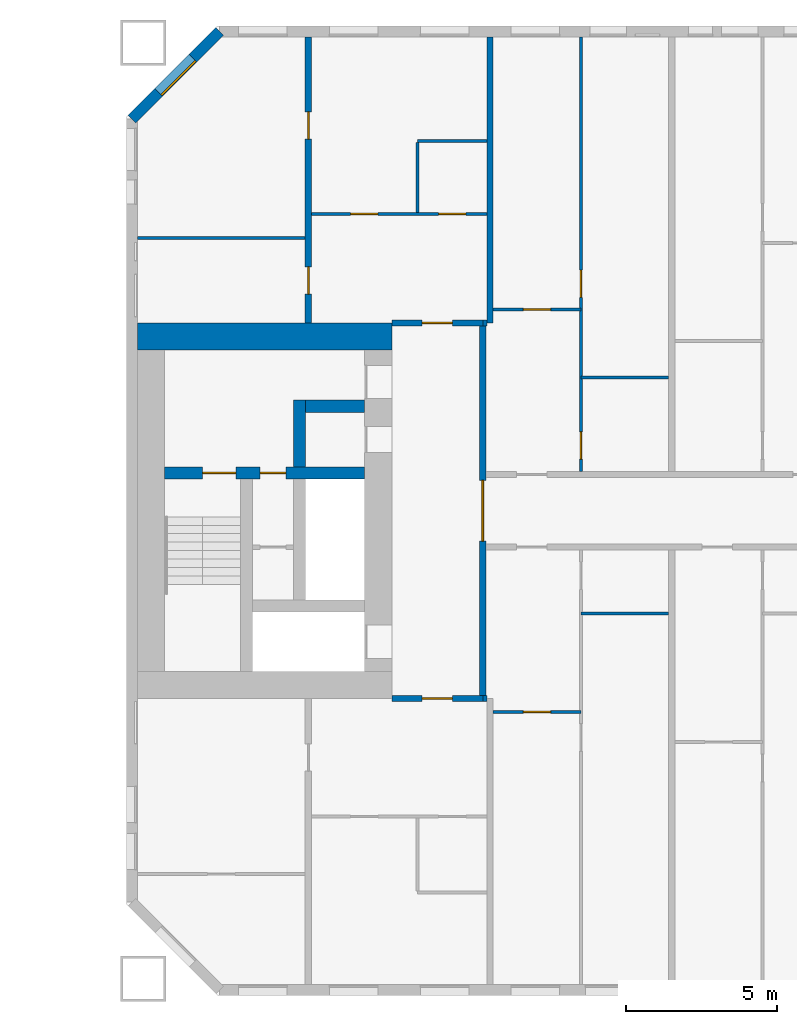
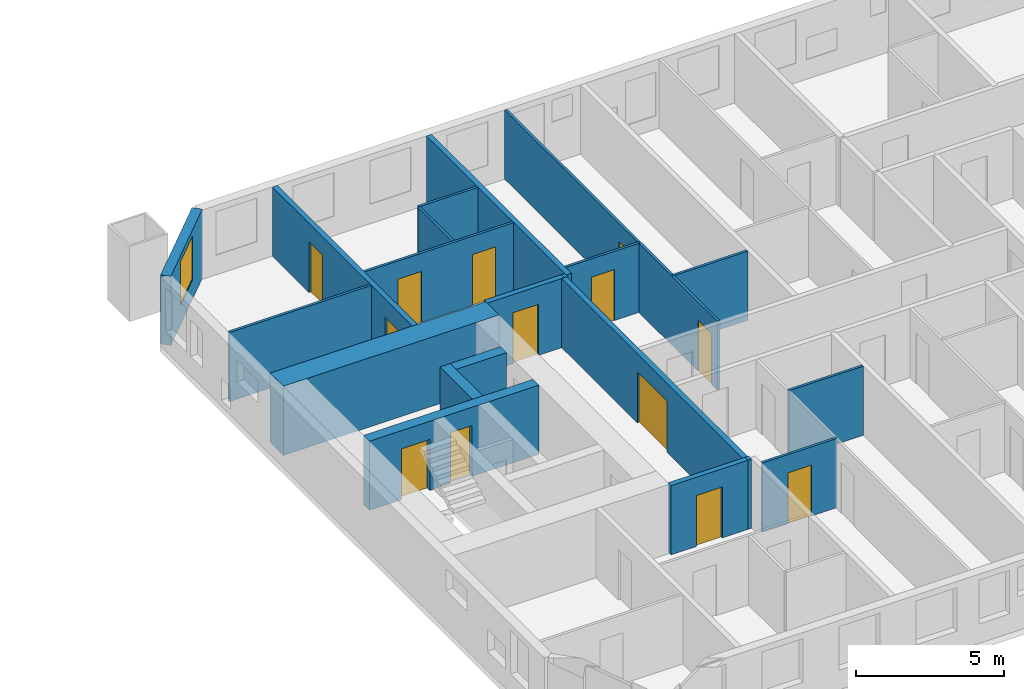
# One storey, part 11 of 18: 21 walls, 13 doors, 1 window, 14 openings.
"""IFC4 building model written with IfcOpenShell, lengths in metres."""

from ifc_helpers import new_model, si_unit, direction, frame, frame_2d, origin, place, context, subcontext, project, spatial, rectangle, extrude, material, layer, layer_set, type_object, element, fill, save


model = new_model("IFC4")

# Units and contexts
model_context = context("Model", 3, precision=1e-05, world=origin(), true_north=direction((0.0, 1.0)))
body_context = subcontext(model_context, "Body", "Model", "MODEL_VIEW")
ifc_project = project(units=[si_unit("LENGTHUNIT", "METRE"), si_unit("AREAUNIT", "SQUARE_METRE"), si_unit("VOLUMEUNIT", "CUBIC_METRE"), si_unit("PLANEANGLEUNIT", "RADIAN"), si_unit("MASSUNIT", "GRAM", prefix="KILO")], contexts=[model_context])

# Site, building, storey
site_placement = place(None, origin())
site = spatial("IfcSite", under=ifc_project, at=site_placement, CompositionType="ELEMENT")
building_placement = place(site_placement, origin())
building = spatial("IfcBuilding", under=site, at=building_placement, Name="Tuart Gate Housing", CompositionType="ELEMENT")
storey_placement = place(building_placement, frame((0.0, 0.0, 31.89990234375)))
storey = spatial("IfcBuildingStorey", under=building, at=storey_placement, Name="L08", CompositionType="ELEMENT", Elevation=31.89990234375)

# Wall, opening, window
ifc_material_1 = material(Name="Brick", Category="masonry")
ifc_layer_1 = layer(ifc_material_1, 0.360107421875)
ifc_layer_set_1 = layer_set([ifc_layer_1], Name="Brick pier and spandrel wall 360")
wall_type_1 = type_object("IfcWallType", Name="Brick pier and spandrel wall 360", PredefinedType="STANDARD", material=ifc_layer_set_1)
wall_1_placement = place(storey_placement, frame((134.07470703125, 85.820068359375, 0.0), z_axis=(0.0, 0.0, 1.0), x_axis=(-0.707106781187, -0.707106781187, 0.0)))
wall_1 = element("IfcWall", 1, at=wall_1_placement, inside=storey, type_object=wall_type_1, Name="External wall B-NW L08", PredefinedType="STANDARD", context=body_context, shape_type="SweptSolid", body=[
    extrude(rectangle(XDim=4.09375, YDim=0.360107421875, at=frame_2d((2.046875, 0.0))), origin(), (0.0, 0.0, 1.0), 2.85009765625),
])
opening_1_placement = place(wall_1_placement, frame((1.2470703125, 0.0, 0.800048828125)))
opening_1 = element("IfcOpeningElement", 2, at=opening_1_placement, cuts=wall_1, Name="Opening W1", PredefinedType="OPENING", context=body_context, shape_type="SweptSolid", body=[
    extrude(rectangle(XDim=1.60009765625, YDim=1.800048828125, at=frame_2d((0.800048828125, 0.89990234375))), frame((0.0, 0.18994140625, 0.0), z_axis=(0.0, -1.0, 0.0), x_axis=(1.0, 0.0, 0.0)), (0.0, 0.0, 1.0), 0.380126953125),
])
ifc_material_2 = material(Name="Aluminium frame with clear glass", Category="aluminium")
window_type = type_object("IfcWindowType", Name="Punched window 1600 x 1800", PartitioningType="SINGLE_PANEL", PredefinedType="WINDOW", material=ifc_material_2)
window_placement = place(opening_1_placement, origin())
window = element("IfcWindow", 3, at=window_placement, inside=storey, type_object=window_type, Name="Window W1", OverallHeight=1.800048828125, OverallWidth=1.60009765625, PartitioningType="SINGLE_PANEL", PredefinedType="WINDOW", context=body_context, shape_type="SweptSolid", body=[
    extrude(rectangle(XDim=1.60009765625, YDim=1.800048828125, at=frame_2d((0.800048828125, 0.89990234375))), frame((0.0, 0.150146484375, 0.0), z_axis=(0.0, -1.0, 0.0), x_axis=(1.0, 0.0, 0.0)), (0.0, 0.0, 1.0), 0.06005859375),
])
fill(opening_1, window)

# Wall, openings, doors
ifc_material_3 = material(Name="Concrete C60", Category="concrete")
ifc_layer_2 = layer(ifc_material_3, 0.39990234375)
ifc_layer_set_2 = layer_set([ifc_layer_2], Name="Core wall 400 C60")
wall_type_2 = type_object("IfcWallType", Name="Core wall 400 C60", PredefinedType="SHEAR", material=ifc_layer_set_2)
wall_2_placement = place(storey_placement, frame((138.860107421875, 71.25, 0.0), z_axis=(0.0, 0.0, 1.0), x_axis=(-1.0, 0.0, 0.0)))
wall_2 = element("IfcWall", 4, at=wall_2_placement, inside=storey, type_object=wall_type_2, Name="Core wall BG.3", PredefinedType="SHEAR", context=body_context, shape_type="SweptSolid", body=[
    extrude(rectangle(XDim=6.60009765625, YDim=0.39990234375, at=frame_2d((3.300048828125, 0.0))), origin(), (0.0, 0.0, 1.0), 2.85009765625),
])
opening_2_placement = place(wall_2_placement, frame((4.25, 0.0, 0.0)))
opening_2 = element("IfcOpeningElement", 5, at=opening_2_placement, cuts=wall_2, Name="Opening D553", PredefinedType="OPENING", context=body_context, shape_type="SweptSolid", body=[
    extrude(rectangle(XDim=1.10009765625, YDim=2.10009765625, at=frame_2d((0.550048828125, 1.050048828125))), frame((0.0, 0.2099609375, 0.0), z_axis=(0.0, -1.0, 0.0), x_axis=(1.0, 0.0, 0.0)), (0.0, 0.0, 1.0), 0.419921875),
])
opening_3_placement = place(wall_2_placement, frame((2.60009765625, 0.0, 0.0)))
opening_3 = element("IfcOpeningElement", 6, at=opening_3_placement, cuts=wall_2, Name="Opening D552", PredefinedType="OPENING", context=body_context, shape_type="SweptSolid", body=[
    extrude(rectangle(XDim=0.85009765625, YDim=2.10009765625, at=frame_2d((0.425048828125, 1.050048828125))), frame((0.0, 0.2099609375, 0.0), z_axis=(0.0, -1.0, 0.0), x_axis=(1.0, 0.0, 0.0)), (0.0, 0.0, 1.0), 0.419921875),
])
ifc_material_4 = material(Name="Steel fire door", Category="steel")
door_type_1 = type_object("IfcDoorType", Name="Riser door 850 x 2100", OperationType="SINGLE_SWING_LEFT", PredefinedType="DOOR", material=ifc_material_4)
door_1_placement = place(opening_3_placement, origin())
door_1 = element("IfcDoor", 7, at=door_1_placement, inside=storey, type_object=door_type_1, Name="Service room door BG.W1", OperationType="SINGLE_SWING_LEFT", OverallHeight=2.10009765625, OverallWidth=0.85009765625, PredefinedType="DOOR", context=body_context, shape_type="SweptSolid", body=[
    extrude(rectangle(XDim=0.85009765625, YDim=2.10009765625, at=frame_2d((0.425048828125, 1.050048828125))), frame((0.0, 0.02490234375, 0.0), z_axis=(0.0, -1.0, 0.0), x_axis=(1.0, 0.0, 0.0)), (0.0, 0.0, 1.0), 0.050048828125),
])
fill(opening_3, door_1)
ifc_material_5 = material(Name="Steel fire door", Category="steel")
door_type_2 = type_object("IfcDoorType", Name="Stair door 1100 x 2100", OperationType="SINGLE_SWING_LEFT", PredefinedType="DOOR", material=ifc_material_5)
door_2_placement = place(opening_2_placement, origin())
door_2 = element("IfcDoor", 8, at=door_2_placement, inside=storey, type_object=door_type_2, Name="Stair door BG.SD", OperationType="SINGLE_SWING_LEFT", OverallHeight=2.10009765625, OverallWidth=1.10009765625, PredefinedType="DOOR", context=body_context, shape_type="SweptSolid", body=[
    extrude(rectangle(XDim=1.10009765625, YDim=2.10009765625, at=frame_2d((0.550048828125, 1.050048828125))), frame((0.0, 0.02490234375, 0.0), z_axis=(0.0, -1.0, 0.0), x_axis=(1.0, 0.0, 0.0)), (0.0, 0.0, 1.0), 0.050048828125),
])
fill(opening_2, door_2)

# Walls
wall_3_placement = place(storey_placement, frame((138.860107421875, 73.449951171875, 0.0), z_axis=(0.0, 0.0, 1.0), x_axis=(-1.0, 0.0, 0.0)))
element("IfcWall", 9, at=wall_3_placement, inside=storey, type_object=wall_type_2, Name="Core wall BG.4", PredefinedType="SHEAR", context=body_context, shape_type="SweptSolid", body=[
    extrude(rectangle(XDim=1.9501953125, YDim=0.39990234375, at=frame_2d((0.97509765625, 0.0))), origin(), (0.0, 0.0, 1.0), 2.85009765625),
])
wall_4_placement = place(storey_placement, frame((136.7099609375, 71.449951171875, 0.0), z_axis=(0.0, 0.0, 1.0), x_axis=(0.0, 1.0, 0.0)))
element("IfcWall", 10, at=wall_4_placement, inside=storey, type_object=wall_type_2, Name="Core wall BG.6", PredefinedType="SHEAR", context=body_context, shape_type="SweptSolid", body=[
    extrude(rectangle(XDim=2.199951171875, YDim=0.39990234375, at=frame_2d((1.10009765625, 0.0))), origin(), (0.0, 0.0, 1.0), 2.85009765625),
])
ifc_material_6 = material(Name="Concrete C60", Category="concrete")
ifc_layer_3 = layer(ifc_material_6, 0.89990234375)
ifc_layer_set_3 = layer_set([ifc_layer_3], Name="Core wall 900 C60")
wall_type_3 = type_object("IfcWallType", Name="Core wall 900 C60", PredefinedType="SHEAR", material=ifc_layer_set_3)
wall_5_placement = place(storey_placement, frame((139.760009765625, 75.75, 0.0), z_axis=(0.0, 0.0, 1.0), x_axis=(-1.0, 0.0, 0.0)))
element("IfcWall", 11, at=wall_5_placement, inside=storey, type_object=wall_type_3, Name="Core wall BG north", PredefinedType="SHEAR", context=body_context, shape_type="SweptSolid", body=[
    extrude(rectangle(XDim=8.39990234375, YDim=0.89990234375, at=frame_2d((4.199951171875, 0.0))), origin(), (0.0, 0.0, 1.0), 2.85009765625),
])

# Wall, opening, door
ifc_material_7 = material(Name="Concrete masonry 15 MPa", Category="masonry")
ifc_layer_4 = layer(ifc_material_7, 0.199951171875)
ifc_layer_set_4 = layer_set([ifc_layer_4], Name="Enclosure wall masonry 200")
wall_type_4 = type_object("IfcWallType", Name="Enclosure wall masonry 200", PredefinedType="PARTITIONING", material=ifc_layer_set_4)
wall_6_placement = place(storey_placement, frame((139.760009765625, 63.800048828125, 0.0), z_axis=(0.0, 0.0, 1.0), x_axis=(1.0, 0.0, 0.0)))
wall_6 = element("IfcWall", 12, at=wall_6_placement, inside=storey, type_object=wall_type_4, Name="Enclosure wall masonry 200", PredefinedType="PARTITIONING", context=body_context, shape_type="SweptSolid", body=[
    extrude(rectangle(XDim=3.0, YDim=0.199951171875, at=frame_2d((1.5, 0.0))), origin(), (0.0, 0.0, 1.0), 2.85009765625),
])
opening_4_placement = place(wall_6_placement, frame((1.0, 0.0, 0.0)))
opening_4 = element("IfcOpeningElement", 13, at=opening_4_placement, cuts=wall_6, Name="Opening D569", PredefinedType="OPENING", context=body_context, shape_type="SweptSolid", body=[
    extrude(rectangle(XDim=1.0, YDim=2.10009765625, at=frame_2d((0.5, 1.050048828125))), frame((0.0, 0.10986328125, 0.0), z_axis=(0.0, -1.0, 0.0), x_axis=(1.0, 0.0, 0.0)), (0.0, 0.0, 1.0), 0.219970703125),
])
ifc_material_8 = material(Name="Timber door leaf in steel frame", Category="steel")
door_type_3 = type_object("IfcDoorType", Name="Flat entrance door 1000", OperationType="SINGLE_SWING_LEFT", PredefinedType="DOOR", material=ifc_material_8)
door_3_placement = place(opening_4_placement, frame((1.0, 0.0, 0.0), z_axis=(0.0, 0.0, 1.0), x_axis=(-1.0, 0.0, 0.0)))
door_3 = element("IfcDoor", 14, at=door_3_placement, inside=storey, type_object=door_type_3, Name="Flat entrance door", OperationType="SINGLE_SWING_LEFT", OverallHeight=2.10009765625, OverallWidth=1.0, PredefinedType="DOOR", context=body_context, shape_type="SweptSolid", body=[
    extrude(rectangle(XDim=1.0, YDim=2.10009765625, at=frame_2d((0.5, 1.050048828125))), frame((0.0, 0.025146484375, 0.0), z_axis=(0.0, -1.0, 0.0), x_axis=(1.0, 0.0, 0.0)), (0.0, 0.0, 1.0), 0.050048828125),
])
fill(opening_4, door_3)

wall_7_placement = place(storey_placement, frame((139.760009765625, 76.199951171875, 0.0), z_axis=(0.0, 0.0, 1.0), x_axis=(1.0, 0.0, 0.0)))
wall_7 = element("IfcWall", 15, at=wall_7_placement, inside=storey, type_object=wall_type_4, Name="Enclosure wall masonry 200", PredefinedType="PARTITIONING", context=body_context, shape_type="SweptSolid", body=[
    extrude(rectangle(XDim=3.0, YDim=0.199951171875, at=frame_2d((1.5, 0.0))), origin(), (0.0, 0.0, 1.0), 2.85009765625),
])
opening_5_placement = place(wall_7_placement, frame((1.0, 0.0, 0.0)))
opening_5 = element("IfcOpeningElement", 16, at=opening_5_placement, cuts=wall_7, Name="Opening D549", PredefinedType="OPENING", context=body_context, shape_type="SweptSolid", body=[
    extrude(rectangle(XDim=1.0, YDim=2.10009765625, at=frame_2d((0.5, 1.050048828125))), frame((0.0, 0.10986328125, 0.0), z_axis=(0.0, -1.0, 0.0), x_axis=(1.0, 0.0, 0.0)), (0.0, 0.0, 1.0), 0.219970703125),
])
ifc_material_9 = material(Name="Timber door leaf in steel frame", Category="steel")
door_type_4 = type_object("IfcDoorType", Name="Flat entrance door 1000 RH", OperationType="SINGLE_SWING_RIGHT", PredefinedType="DOOR", material=ifc_material_9)
door_4_placement = place(opening_5_placement, origin())
door_4 = element("IfcDoor", 17, at=door_4_placement, inside=storey, type_object=door_type_4, Name="Flat entrance door", OperationType="SINGLE_SWING_RIGHT", OverallHeight=2.10009765625, OverallWidth=1.0, PredefinedType="DOOR", context=body_context, shape_type="SweptSolid", body=[
    extrude(rectangle(XDim=1.0, YDim=2.10009765625, at=frame_2d((0.5, 1.050048828125))), frame((0.0, 0.02490234375, 0.0), z_axis=(0.0, -1.0, 0.0), x_axis=(1.0, 0.0, 0.0)), (0.0, 0.0, 1.0), 0.050048828125),
])
fill(opening_5, door_4)

ifc_material_10 = material(Name="Plasterboard partition")
ifc_layer_5 = layer(ifc_material_10, 0.199951171875)
ifc_layer_set_5 = layer_set([ifc_layer_5], Name="Lobby wall 200")
wall_type_5 = type_object("IfcWallType", Name="Lobby wall 200", PredefinedType="PARTITIONING", material=ifc_layer_set_5)
wall_8_placement = place(storey_placement, frame((142.760009765625, 63.89990234375, 0.0), z_axis=(0.0, 0.0, 1.0), x_axis=(0.0, 1.0, 0.0)))
wall_8 = element("IfcWall", 18, at=wall_8_placement, inside=storey, type_object=wall_type_5, Name="Lift lobby wall BG", PredefinedType="PARTITIONING", context=body_context, shape_type="SweptSolid", body=[
    extrude(rectangle(XDim=12.2001953125, YDim=0.199951171875, at=frame_2d((6.10009765625, 0.0))), origin(), (0.0, 0.0, 1.0), 2.85009765625),
])
opening_6_placement = place(wall_8_placement, frame((5.10009765625, 0.0, 0.0)))
opening_6 = element("IfcOpeningElement", 19, at=opening_6_placement, cuts=wall_8, Name="Opening D558", PredefinedType="OPENING", context=body_context, shape_type="SweptSolid", body=[
    extrude(rectangle(XDim=2.0, YDim=2.10009765625, at=frame_2d((1.0, 1.050048828125))), frame((0.0, 0.10986328125, 0.0), z_axis=(0.0, -1.0, 0.0), x_axis=(1.0, 0.0, 0.0)), (0.0, 0.0, 1.0), 0.219970703125),
])
ifc_material_11 = material(Name="Steel fire door", Category="steel")
door_type_5 = type_object("IfcDoorType", Name="Smoke door 2000 x 2100", OperationType="DOUBLE_DOOR_SINGLE_SWING", PredefinedType="DOOR", material=ifc_material_11)
door_5_placement = place(opening_6_placement, origin())
door_5 = element("IfcDoor", 20, at=door_5_placement, inside=storey, type_object=door_type_5, Name="Lift lobby smoke door BG", OperationType="DOUBLE_DOOR_SINGLE_SWING", OverallHeight=2.10009765625, OverallWidth=2.0, PredefinedType="DOOR", context=body_context, shape_type="SweptSolid", body=[
    extrude(rectangle(XDim=2.0, YDim=2.10009765625, at=frame_2d((1.0, 1.050048828125))), frame((0.0, 0.02490234375, 0.0), z_axis=(0.0, -1.0, 0.0), x_axis=(1.0, 0.0, 0.0)), (0.0, 0.0, 1.0), 0.050048828125),
])
fill(opening_6, door_5)

ifc_material_12 = material(Name="Gypsum board on steel studs", Category="steel")
ifc_layer_6 = layer(ifc_material_12, 0.10009765625)
ifc_layer_set_6 = layer_set([ifc_layer_6], Name="Partition 100")
wall_type_6 = type_object("IfcWallType", Name="Partition 100", PredefinedType="PARTITIONING", material=ifc_layer_set_6)
wall_9_placement = place(storey_placement, frame((143.10009765625, 63.360107421875, 0.0), z_axis=(0.0, 0.0, 1.0), x_axis=(1.0, 0.0, 0.0)))
wall_9 = element("IfcWall", 21, at=wall_9_placement, inside=storey, type_object=wall_type_6, Name="Partition 100", PredefinedType="PARTITIONING", context=body_context, shape_type="SweptSolid", body=[
    extrude(rectangle(XDim=2.89990234375, YDim=0.10009765625, at=frame_2d((1.449951171875, 0.0))), origin(), (0.0, 0.0, 1.0), 2.85009765625),
])
opening_7_placement = place(wall_9_placement, frame((1.0, 0.0, 0.0)))
opening_7 = element("IfcOpeningElement", 22, at=opening_7_placement, cuts=wall_9, Name="Opening D572", PredefinedType="OPENING", context=body_context, shape_type="SweptSolid", body=[
    extrude(rectangle(XDim=0.89990234375, YDim=2.10009765625, at=frame_2d((0.449951171875, 1.050048828125))), frame((0.0, 0.06005859375, 0.0), z_axis=(0.0, -1.0, 0.0), x_axis=(1.0, 0.0, 0.0)), (0.0, 0.0, 1.0), 0.1201171875),
])
ifc_material_13 = material(Name="Timber door leaf in steel frame", Category="steel")
door_type_6 = type_object("IfcDoorType", Name="Internal door 900 RH", OperationType="SINGLE_SWING_RIGHT", PredefinedType="DOOR", material=ifc_material_13)
door_6_placement = place(opening_7_placement, origin())
door_6 = element("IfcDoor", 23, at=door_6_placement, inside=storey, type_object=door_type_6, Name="Internal door", OperationType="SINGLE_SWING_RIGHT", OverallHeight=2.10009765625, OverallWidth=0.89990234375, PredefinedType="DOOR", context=body_context, shape_type="SweptSolid", body=[
    extrude(rectangle(XDim=0.89990234375, YDim=2.10009765625, at=frame_2d((0.449951171875, 1.050048828125))), frame((0.0, 0.02490234375, 0.0), z_axis=(0.0, -1.0, 0.0), x_axis=(1.0, 0.0, 0.0)), (0.0, 0.0, 1.0), 0.050048828125),
])
fill(opening_7, door_6)

# Walls
for number, where, z_axis, x_axis, name in (
    (24, (146.0, 66.60009765625, 0.0), (0.0, 0.0, 1.0), (1.0, 0.0, 0.0), "Partition 100"),
    (25, (146.0, 74.39990234375, 0.0), (0.0, 0.0, 1.0), (1.0, 0.0, 0.0), "Partition 100"),
):
    element("IfcWall", number, at=place(storey_placement, frame(where, z_axis=z_axis, x_axis=x_axis)), inside=storey, type_object=wall_type_6, Name=name, PredefinedType="PARTITIONING", context=body_context, shape_type="SweptSolid", body=[
        extrude(rectangle(XDim=2.89990234375, YDim=0.10009765625, at=frame_2d((1.449951171875, 0.0))), origin(), (0.0, 0.0, 1.0), 2.85009765625),
    ])

# Wall, opening, door
wall_10_placement = place(storey_placement, frame((143.10009765625, 76.639892578125, 0.0), z_axis=(0.0, 0.0, 1.0), x_axis=(1.0, 0.0, 0.0)))
wall_10 = element("IfcWall", 26, at=wall_10_placement, inside=storey, type_object=wall_type_6, Name="Partition 100", PredefinedType="PARTITIONING", context=body_context, shape_type="SweptSolid", body=[
    extrude(rectangle(XDim=2.89990234375, YDim=0.10009765625, at=frame_2d((1.449951171875, 0.0))), origin(), (0.0, 0.0, 1.0), 2.85009765625),
])
opening_8_placement = place(wall_10_placement, frame((1.0, 0.0, 0.0)))
opening_8 = element("IfcOpeningElement", 27, at=opening_8_placement, cuts=wall_10, Name="Opening D548", PredefinedType="OPENING", context=body_context, shape_type="SweptSolid", body=[
    extrude(rectangle(XDim=0.89990234375, YDim=2.10009765625, at=frame_2d((0.449951171875, 1.050048828125))), frame((0.0, 0.06005859375, 0.0), z_axis=(0.0, -1.0, 0.0), x_axis=(1.0, 0.0, 0.0)), (0.0, 0.0, 1.0), 0.1201171875),
])
ifc_material_14 = material(Name="Timber door leaf in steel frame", Category="steel")
door_type_7 = type_object("IfcDoorType", Name="Internal door 900", OperationType="SINGLE_SWING_LEFT", PredefinedType="DOOR", material=ifc_material_14)
door_7_placement = place(opening_8_placement, frame((0.89990234375, 0.0, 0.0), z_axis=(0.0, 0.0, 1.0), x_axis=(-1.0, 0.0, 0.0)))
door_7 = element("IfcDoor", 28, at=door_7_placement, inside=storey, type_object=door_type_7, Name="Internal door", OperationType="SINGLE_SWING_LEFT", OverallHeight=2.10009765625, OverallWidth=0.89990234375, PredefinedType="DOOR", context=body_context, shape_type="SweptSolid", body=[
    extrude(rectangle(XDim=0.89990234375, YDim=2.10009765625, at=frame_2d((0.449951171875, 1.050048828125))), frame((0.0, 0.025146484375, 0.0), z_axis=(0.0, -1.0, 0.0), x_axis=(1.0, 0.0, 0.0)), (0.0, 0.0, 1.0), 0.050048828125),
])
fill(opening_8, door_7)

# Wall
wall_11_placement = place(storey_placement, frame((131.360107421875, 79.0, 0.0), z_axis=(0.0, 0.0, 1.0), x_axis=(1.0, 0.0, 0.0)))
element("IfcWall", 29, at=wall_11_placement, inside=storey, type_object=wall_type_6, Name="Partition 100", PredefinedType="PARTITIONING", context=body_context, shape_type="SweptSolid", body=[
    extrude(rectangle(XDim=5.539794921875, YDim=0.10009765625, at=frame_2d((2.77001953125, 0.0))), origin(), (0.0, 0.0, 1.0), 2.85009765625),
])

# Wall, openings, doors
wall_12_placement = place(storey_placement, frame((137.10009765625, 79.800048828125, 0.0), z_axis=(0.0, 0.0, 1.0), x_axis=(1.0, 0.0, 0.0)))
wall_12 = element("IfcWall", 30, at=wall_12_placement, inside=storey, type_object=wall_type_6, Name="Partition 100", PredefinedType="PARTITIONING", context=body_context, shape_type="SweptSolid", body=[
    extrude(rectangle(XDim=5.7998046875, YDim=0.10009765625, at=frame_2d((2.89990234375, 0.0))), origin(), (0.0, 0.0, 1.0), 2.85009765625),
])
opening_9_placement = place(wall_12_placement, frame((1.300048828125, 0.0, 0.0)))
opening_9 = element("IfcOpeningElement", 31, at=opening_9_placement, cuts=wall_12, Name="Opening D539", PredefinedType="OPENING", context=body_context, shape_type="SweptSolid", body=[
    extrude(rectangle(XDim=0.89990234375, YDim=2.10009765625, at=frame_2d((0.449951171875, 1.050048828125))), frame((0.0, 0.06005859375, 0.0), z_axis=(0.0, -1.0, 0.0), x_axis=(1.0, 0.0, 0.0)), (0.0, 0.0, 1.0), 0.1201171875),
])
opening_10_placement = place(wall_12_placement, frame((4.199951171875, 0.0, 0.0)))
opening_10 = element("IfcOpeningElement", 32, at=opening_10_placement, cuts=wall_12, Name="Opening D538", PredefinedType="OPENING", context=body_context, shape_type="SweptSolid", body=[
    extrude(rectangle(XDim=0.89990234375, YDim=2.10009765625, at=frame_2d((0.449951171875, 1.050048828125))), frame((0.0, 0.06005859375, 0.0), z_axis=(0.0, -1.0, 0.0), x_axis=(1.0, 0.0, 0.0)), (0.0, 0.0, 1.0), 0.1201171875),
])
ifc_material_15 = material(Name="Timber door leaf in steel frame", Category="steel")
door_type_8 = type_object("IfcDoorType", Name="Bathroom door 900", OperationType="SINGLE_SWING_LEFT", PredefinedType="DOOR", material=ifc_material_15)
door_8_placement = place(opening_10_placement, origin())
door_8 = element("IfcDoor", 33, at=door_8_placement, inside=storey, type_object=door_type_8, Name="Bathroom door", OperationType="SINGLE_SWING_LEFT", OverallHeight=2.10009765625, OverallWidth=0.89990234375, PredefinedType="DOOR", context=body_context, shape_type="SweptSolid", body=[
    extrude(rectangle(XDim=0.89990234375, YDim=2.10009765625, at=frame_2d((0.449951171875, 1.050048828125))), frame((0.0, 0.02490234375, 0.0), z_axis=(0.0, -1.0, 0.0), x_axis=(1.0, 0.0, 0.0)), (0.0, 0.0, 1.0), 0.050048828125),
])
fill(opening_10, door_8)
door_9_placement = place(opening_9_placement, frame((0.89990234375, 0.0, 0.0), z_axis=(0.0, 0.0, 1.0), x_axis=(-1.0, 0.0, 0.0)))
door_9 = element("IfcDoor", 34, at=door_9_placement, inside=storey, type_object=door_type_6, Name="Internal door", OperationType="SINGLE_SWING_RIGHT", OverallHeight=2.10009765625, OverallWidth=0.89990234375, PredefinedType="DOOR", context=body_context, shape_type="SweptSolid", body=[
    extrude(rectangle(XDim=0.89990234375, YDim=2.10009765625, at=frame_2d((0.449951171875, 1.050048828125))), frame((0.0, 0.025146484375, 0.0), z_axis=(0.0, -1.0, 0.0), x_axis=(1.0, 0.0, 0.0)), (0.0, 0.0, 1.0), 0.050048828125),
])
fill(opening_9, door_9)

# Walls
for number, where, z_axis, x_axis, name in (
    (35, (140.60009765625, 82.199951171875, 0.0), (0.0, 0.0, 1.0), (1.0, 0.0, 0.0), "Partition 100"),
    (36, (140.60009765625, 79.85009765625, 0.0), (0.0, 0.0, 1.0), (0.0, 1.0, 0.0), "Partition 100"),
):
    element("IfcWall", number, at=place(storey_placement, frame(where, z_axis=z_axis, x_axis=x_axis)), inside=storey, type_object=wall_type_6, Name=name, PredefinedType="PARTITIONING", context=body_context, shape_type="SweptSolid", body=[
        extrude(rectangle(XDim=2.2998046875, YDim=0.10009765625, at=frame_2d((1.14990234375, 0.0))), origin(), (0.0, 0.0, 1.0), 2.85009765625),
    ])

# Wall, openings, doors
wall_13_placement = place(storey_placement, frame((146.0, 71.300048828125, 0.0), z_axis=(0.0, 0.0, 1.0), x_axis=(0.0, 1.0, 0.0)))
wall_13 = element("IfcWall", 37, at=wall_13_placement, inside=storey, type_object=wall_type_6, Name="Partition 100", PredefinedType="PARTITIONING", context=body_context, shape_type="SweptSolid", body=[
    extrude(rectangle(XDim=14.33984375, YDim=0.10009765625, at=frame_2d((7.169921875, 0.0))), origin(), (0.0, 0.0, 1.0), 2.85009765625),
])
opening_11_placement = place(wall_13_placement, frame((5.739990234375, 0.0, 0.0)))
opening_11 = element("IfcOpeningElement", 38, at=opening_11_placement, cuts=wall_13, Name="Opening D545", PredefinedType="OPENING", context=body_context, shape_type="SweptSolid", body=[
    extrude(rectangle(XDim=0.89990234375, YDim=2.10009765625, at=frame_2d((0.449951171875, 1.050048828125))), frame((0.0, 0.06005859375, 0.0), z_axis=(0.0, -1.0, 0.0), x_axis=(1.0, 0.0, 0.0)), (0.0, 0.0, 1.0), 0.1201171875),
])
opening_12_placement = place(wall_13_placement, frame((0.39990234375, 0.0, 0.0)))
opening_12 = element("IfcOpeningElement", 39, at=opening_12_placement, cuts=wall_13, Name="Opening D544", PredefinedType="OPENING", context=body_context, shape_type="SweptSolid", body=[
    extrude(rectangle(XDim=0.89990234375, YDim=2.10009765625, at=frame_2d((0.449951171875, 1.050048828125))), frame((0.0, 0.06005859375, 0.0), z_axis=(0.0, -1.0, 0.0), x_axis=(1.0, 0.0, 0.0)), (0.0, 0.0, 1.0), 0.1201171875),
])
ifc_material_16 = material(Name="Timber door leaf in steel frame", Category="steel")
door_type_9 = type_object("IfcDoorType", Name="Bathroom door 900 RH", OperationType="SINGLE_SWING_RIGHT", PredefinedType="DOOR", material=ifc_material_16)
door_10_placement = place(opening_12_placement, frame((0.89990234375, 0.0, 0.0), z_axis=(0.0, 0.0, 1.0), x_axis=(-1.0, 0.0, 0.0)))
door_10 = element("IfcDoor", 40, at=door_10_placement, inside=storey, type_object=door_type_9, Name="Bathroom door", OperationType="SINGLE_SWING_RIGHT", OverallHeight=2.10009765625, OverallWidth=0.89990234375, PredefinedType="DOOR", context=body_context, shape_type="SweptSolid", body=[
    extrude(rectangle(XDim=0.89990234375, YDim=2.10009765625, at=frame_2d((0.449951171875, 1.050048828125))), frame((0.0, 0.025146484375, 0.0), z_axis=(0.0, -1.0, 0.0), x_axis=(1.0, 0.0, 0.0)), (0.0, 0.0, 1.0), 0.050048828125),
])
fill(opening_12, door_10)
door_11_placement = place(opening_11_placement, frame((0.89990234375, 0.0, 0.0), z_axis=(0.0, 0.0, 1.0), x_axis=(-1.0, 0.0, 0.0)))
door_11 = element("IfcDoor", 41, at=door_11_placement, inside=storey, type_object=door_type_6, Name="Internal door", OperationType="SINGLE_SWING_RIGHT", OverallHeight=2.10009765625, OverallWidth=0.89990234375, PredefinedType="DOOR", context=body_context, shape_type="SweptSolid", body=[
    extrude(rectangle(XDim=0.89990234375, YDim=2.10009765625, at=frame_2d((0.449951171875, 1.050048828125))), frame((0.0, 0.025146484375, 0.0), z_axis=(0.0, -1.0, 0.0), x_axis=(1.0, 0.0, 0.0)), (0.0, 0.0, 1.0), 0.050048828125),
])
fill(opening_11, door_11)

ifc_material_17 = material(Name="Concrete C40", Category="concrete")
ifc_layer_7 = layer(ifc_material_17, 0.199951171875)
ifc_layer_set_7 = layer_set([ifc_layer_7], Name="Party wall concrete C40 200")
wall_type_7 = type_object("IfcWallType", Name="Party wall concrete C40 200", PredefinedType="SOLIDWALL", material=ifc_layer_set_7)
wall_14_placement = place(storey_placement, frame((137.0, 76.199951171875, 0.0), z_axis=(0.0, 0.0, 1.0), x_axis=(0.0, 1.0, 0.0)))
wall_14 = element("IfcWall", 42, at=wall_14_placement, inside=storey, type_object=wall_type_7, Name="Party wall concrete C40 200", PredefinedType="SOLIDWALL", context=body_context, shape_type="SweptSolid", body=[
    extrude(rectangle(XDim=9.43994140625, YDim=0.199951171875, at=frame_2d((4.719970703125, 0.0))), origin(), (0.0, 0.0, 1.0), 2.85009765625),
])
opening_13_placement = place(wall_14_placement, frame((6.070068359375, 0.0, 0.0)))
opening_13 = element("IfcOpeningElement", 43, at=opening_13_placement, cuts=wall_14, Name="Opening D534", PredefinedType="OPENING", context=body_context, shape_type="SweptSolid", body=[
    extrude(rectangle(XDim=0.89990234375, YDim=2.10009765625, at=frame_2d((0.449951171875, 1.050048828125))), frame((0.0, 0.10986328125, 0.0), z_axis=(0.0, -1.0, 0.0), x_axis=(1.0, 0.0, 0.0)), (0.0, 0.0, 1.0), 0.219970703125),
])
opening_14_placement = place(wall_14_placement, frame((0.949951171875, 0.0, 0.0)))
opening_14 = element("IfcOpeningElement", 44, at=opening_14_placement, cuts=wall_14, Name="Opening D535", PredefinedType="OPENING", context=body_context, shape_type="SweptSolid", body=[
    extrude(rectangle(XDim=0.89990234375, YDim=2.10009765625, at=frame_2d((0.449951171875, 1.050048828125))), frame((0.0, 0.10986328125, 0.0), z_axis=(0.0, -1.0, 0.0), x_axis=(1.0, 0.0, 0.0)), (0.0, 0.0, 1.0), 0.219970703125),
])
door_12_placement = place(opening_14_placement, origin())
door_12 = element("IfcDoor", 45, at=door_12_placement, inside=storey, type_object=door_type_7, Name="Internal door", OperationType="SINGLE_SWING_LEFT", OverallHeight=2.10009765625, OverallWidth=0.89990234375, PredefinedType="DOOR", context=body_context, shape_type="SweptSolid", body=[
    extrude(rectangle(XDim=0.89990234375, YDim=2.10009765625, at=frame_2d((0.449951171875, 1.050048828125))), frame((0.0, 0.02490234375, 0.0), z_axis=(0.0, -1.0, 0.0), x_axis=(1.0, 0.0, 0.0)), (0.0, 0.0, 1.0), 0.050048828125),
])
fill(opening_14, door_12)
door_13_placement = place(opening_13_placement, origin())
door_13 = element("IfcDoor", 46, at=door_13_placement, inside=storey, type_object=door_type_6, Name="Internal door", OperationType="SINGLE_SWING_RIGHT", OverallHeight=2.10009765625, OverallWidth=0.89990234375, PredefinedType="DOOR", context=body_context, shape_type="SweptSolid", body=[
    extrude(rectangle(XDim=0.89990234375, YDim=2.10009765625, at=frame_2d((0.449951171875, 1.050048828125))), frame((0.0, 0.02490234375, 0.0), z_axis=(0.0, -1.0, 0.0), x_axis=(1.0, 0.0, 0.0)), (0.0, 0.0, 1.0), 0.050048828125),
])
fill(opening_13, door_13)

# Walls
wall_15_placement = place(storey_placement, frame((143.0, 76.199951171875, 0.0), z_axis=(0.0, 0.0, 1.0), x_axis=(0.0, 1.0, 0.0)))
element("IfcWall", 47, at=wall_15_placement, inside=storey, type_object=wall_type_7, Name="Party wall concrete C40 200", PredefinedType="SOLIDWALL", context=body_context, shape_type="SweptSolid", body=[
    extrude(rectangle(XDim=9.43994140625, YDim=0.199951171875, at=frame_2d((4.719970703125, 0.0))), origin(), (0.0, 0.0, 1.0), 2.85009765625),
])
ifc_material_18 = material(Name="Concrete masonry 15 MPa", Category="masonry")
ifc_layer_8 = layer(ifc_material_18, 0.199951171875)
ifc_layer_set_8 = layer_set([ifc_layer_8], Name="Party wall masonry 200")
wall_type_8 = type_object("IfcWallType", Name="Party wall masonry 200", PredefinedType="PARTITIONING", material=ifc_layer_set_8)
for number, where, z_axis, x_axis, name in (
    (48, (142.760009765625, 63.800048828125, 0.0), (0.0, 0.0, 1.0), (1.0, 0.0, 0.0), "Party wall masonry 200"),
    (49, (142.760009765625, 76.199951171875, 0.0), (0.0, 0.0, 1.0), (1.0, 0.0, 0.0), "Party wall masonry 200"),
):
    element("IfcWall", number, at=place(storey_placement, frame(where, z_axis=z_axis, x_axis=x_axis)), inside=storey, type_object=wall_type_8, Name=name, PredefinedType="PARTITIONING", context=body_context, shape_type="SweptSolid", body=[
        extrude(rectangle(XDim=0.139892578125, YDim=0.199951171875, at=frame_2d((0.06982421875, 0.0))), origin(), (0.0, 0.0, 1.0), 2.85009765625),
    ])

save(model, "model.ifc")
